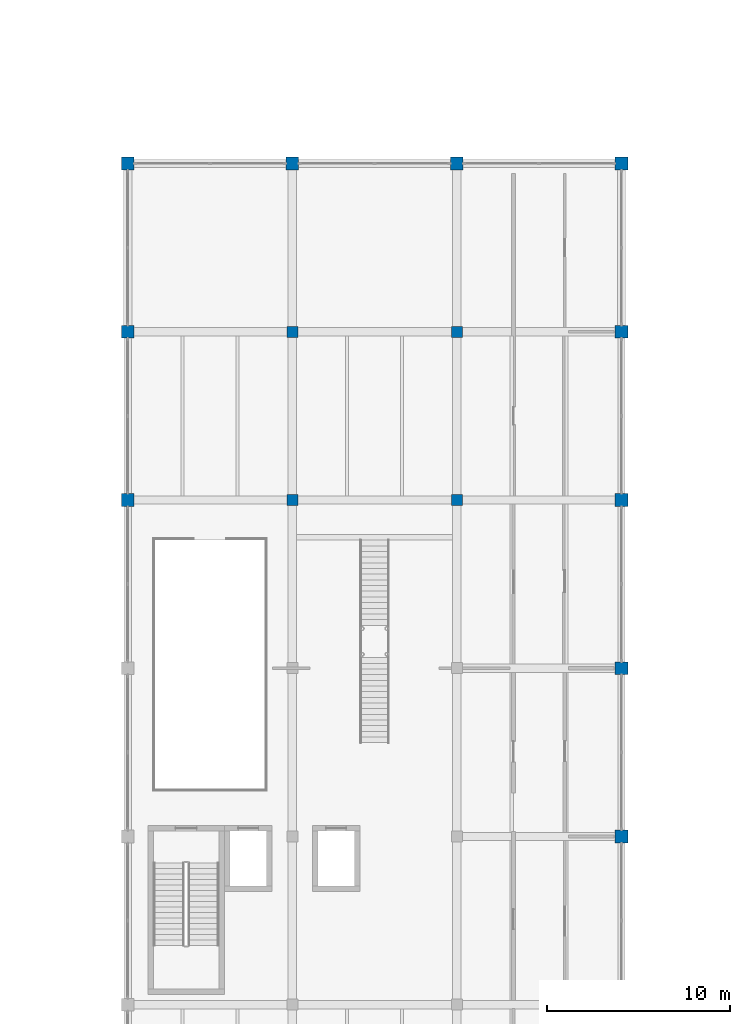
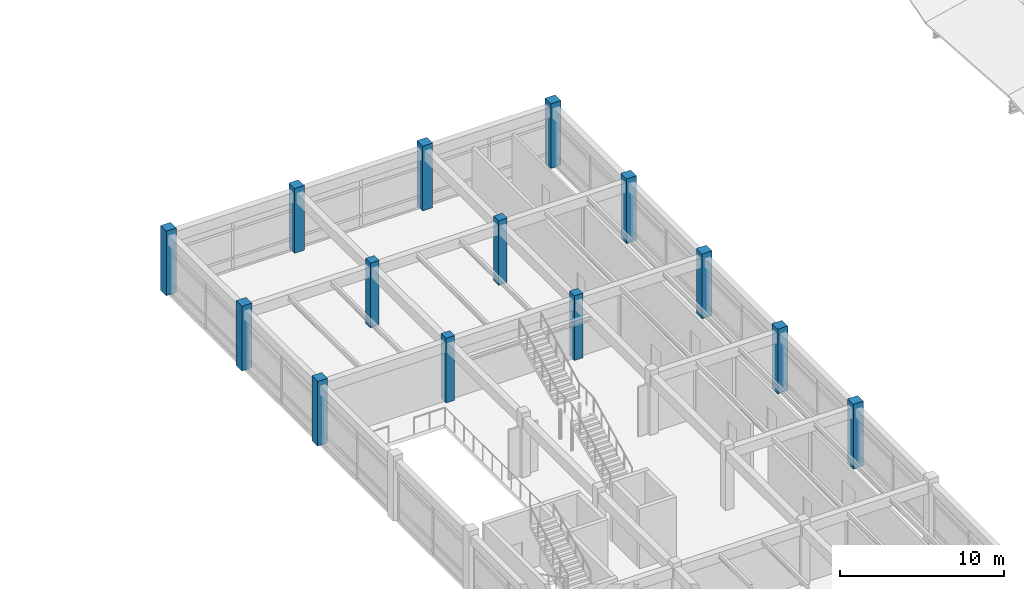
# One storey, part 9 of 90: 14 columns.
"""IFC4 building model written with IfcOpenShell, lengths in metres."""

from ifc_helpers import new_model, si_unit, direction, frame, origin, origin_2d, place, context, subcontext, project, spatial, rectangle, extrude, material, material_profile, profile_set, type_object, element, save


model = new_model("IFC4")

# Units and contexts
model_context = context("Model", 3, precision=1e-05, world=origin(), true_north=direction((0.0, 1.0)))
body_context = subcontext(model_context, "Body", "Model", "MODEL_VIEW")
ifc_project = project(units=[si_unit("LENGTHUNIT", "METRE"), si_unit("AREAUNIT", "SQUARE_METRE"), si_unit("VOLUMEUNIT", "CUBIC_METRE"), si_unit("PLANEANGLEUNIT", "RADIAN"), si_unit("MASSUNIT", "GRAM", prefix="KILO")], contexts=[model_context])

# Site, building, storey
site_placement = place(None, origin())
site = spatial("IfcSite", under=ifc_project, at=site_placement, CompositionType="ELEMENT")
building_placement = place(site_placement, origin())
building = spatial("IfcBuilding", under=site, at=building_placement, Name="Bozkorgan Art Gallery", CompositionType="ELEMENT")
storey_placement = place(building_placement, frame((0.0, 0.0, 5.39990234375)))
storey = spatial("IfcBuildingStorey", under=building, at=storey_placement, Name="L01", CompositionType="ELEMENT", Elevation=5.39990234375)

# Columns
ifc_material = material(Name="Concrete C40/50", Category="concrete")
ifc_material_profile_1 = material_profile(ifc_material, rectangle(XDim=0.60009765625, YDim=0.60009765625, at=origin_2d()), Name="RC 600x600")
ifc_profile_set_1 = profile_set([ifc_material_profile_1], Name="Concrete C40/50")
column_type_1 = type_object("IfcColumnType", Name="COLUMN-C-57", PredefinedType="COLUMN", material=ifc_profile_set_1)
for number, where, z_axis, x_axis, name in (
    (1, (83.0, 84.39990234375, 0.0), (0.0, 0.0, 1.0), (1.0, 0.0, 0.0), "V4 L01 column (83.0, 84.4)"),
    (2, (83.0, 93.60009765625, 0.0), (0.0, 0.0, 1.0), (1.0, 0.0, 0.0), "V4 L01 column (83.0, 93.6)"),
    (3, (92.0, 84.39990234375, 0.0), (0.0, 0.0, 1.0), (1.0, 0.0, 0.0), "V4 L01 column (92.0, 84.4)"),
    (4, (92.0, 93.60009765625, 0.0), (0.0, 0.0, 1.0), (1.0, 0.0, 0.0), "V4 L01 column (92.0, 93.6)"),
):
    element("IfcColumn", number, at=place(storey_placement, frame(where, z_axis=z_axis, x_axis=x_axis)), inside=storey, type_object=column_type_1, Name=name, PredefinedType="COLUMN", context=body_context, shape_type="SweptSolid", body=[
        extrude(rectangle(XDim=0.60009765625, YDim=0.60009765625, at=origin_2d()), origin(), (0.0, 0.0, 1.0), 4.800048828125),
    ])
ifc_material_profile_2 = material_profile(ifc_material, rectangle(XDim=0.699951171875, YDim=0.699951171875, at=origin_2d()), Name="RC 700x700")
ifc_profile_set_2 = profile_set([ifc_material_profile_2], Name="Concrete C40/50")
column_type_2 = type_object("IfcColumnType", Name="COLUMN-C-73", PredefinedType="COLUMN", material=ifc_profile_set_2)
for number, where, z_axis, x_axis, name in (
    (5, (74.0, 84.39990234375, 0.0), (0.0, 0.0, 1.0), (1.0, 0.0, 0.0), "V4 L01 column (74.0, 84.4)"),
    (6, (74.0, 93.60009765625, 0.0), (0.0, 0.0, 1.0), (1.0, 0.0, 0.0), "V4 L01 column (74.0, 93.6)"),
    (7, (74.0, 102.800048828125, 0.0), (0.0, 0.0, 1.0), (1.0, 0.0, 0.0), "V4 L01 column (74.0, 102.8)"),
    (8, (83.0, 102.800048828125, 0.0), (0.0, 0.0, 1.0), (1.0, 0.0, 0.0), "V4 L01 column (83.0, 102.8)"),
    (9, (92.0, 102.800048828125, 0.0), (0.0, 0.0, 1.0), (1.0, 0.0, 0.0), "V4 L01 column (92.0, 102.8)"),
    (10, (101.0, 66.0, 0.0), (0.0, 0.0, 1.0), (1.0, 0.0, 0.0), "V4 L01 column (101.0, 66.0)"),
    (11, (101.0, 75.199951171875, 0.0), (0.0, 0.0, 1.0), (1.0, 0.0, 0.0), "V4 L01 column (101.0, 75.2)"),
    (12, (101.0, 84.39990234375, 0.0), (0.0, 0.0, 1.0), (1.0, 0.0, 0.0), "V4 L01 column (101.0, 84.4)"),
    (13, (101.0, 93.60009765625, 0.0), (0.0, 0.0, 1.0), (1.0, 0.0, 0.0), "V4 L01 column (101.0, 93.6)"),
    (14, (101.0, 102.800048828125, 0.0), (0.0, 0.0, 1.0), (1.0, 0.0, 0.0), "V4 L01 column (101.0, 102.8)"),
):
    element("IfcColumn", number, at=place(storey_placement, frame(where, z_axis=z_axis, x_axis=x_axis)), inside=storey, type_object=column_type_2, Name=name, PredefinedType="COLUMN", context=body_context, shape_type="SweptSolid", body=[
        extrude(rectangle(XDim=0.699951171875, YDim=0.699951171875, at=origin_2d()), origin(), (0.0, 0.0, 1.0), 4.800048828125),
    ])

save(model, "model.ifc")
